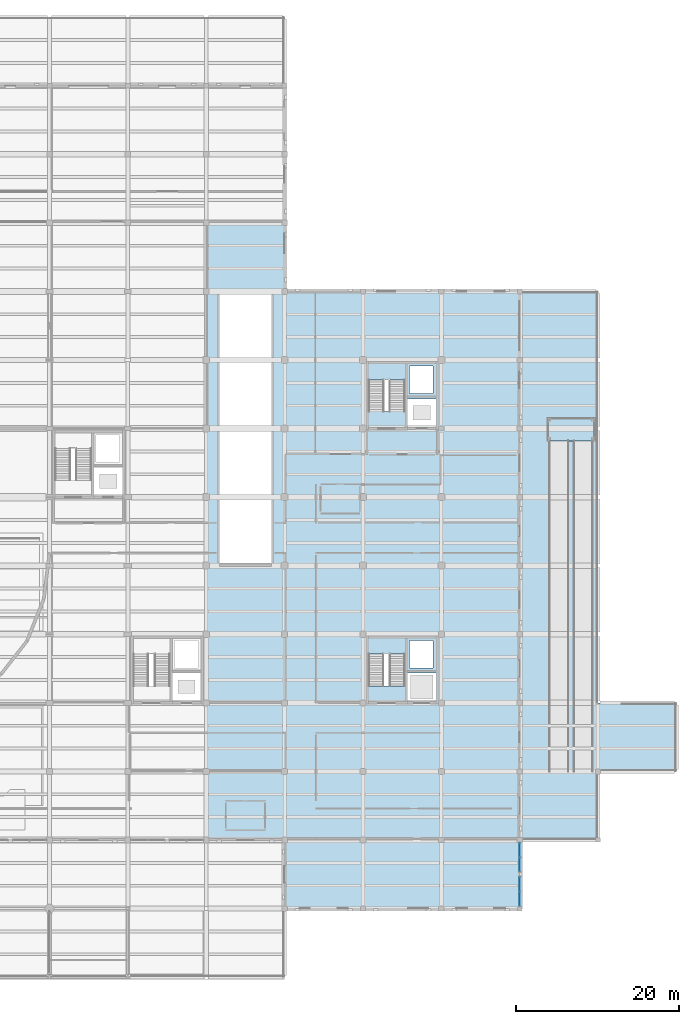
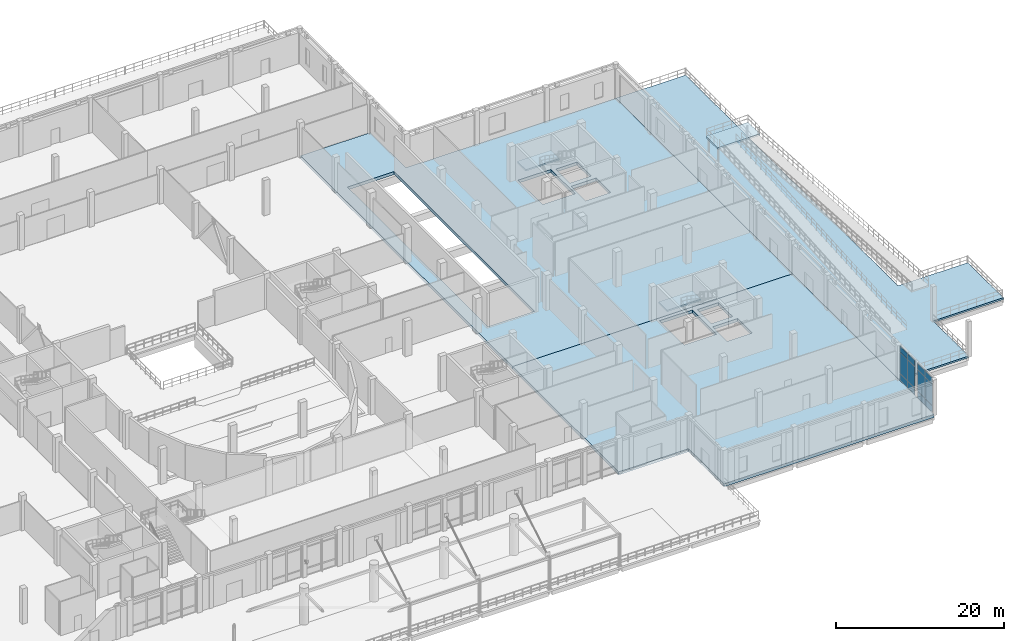
# One storey, part 43 of 71: 12 plates, 6 slabs, 5 elements without a shape of their own.
"""IFC4 building model written with IfcOpenShell, lengths in metres."""

from ifc_helpers import new_model, si_unit, direction, frame, origin, origin_2d, place, context, subcontext, project, spatial, polyline, rectangle, outline, extrude, material, layer, layer_set, type_object, element, aggregate, save


model = new_model("IFC4")

# Units and contexts
model_context = context("Model", 3, precision=1e-05, world=origin(), true_north=direction((0.0, 1.0)))
body_context = subcontext(model_context, "Body", "Model", "MODEL_VIEW")
ifc_project = project(units=[si_unit("LENGTHUNIT", "METRE"), si_unit("AREAUNIT", "SQUARE_METRE"), si_unit("VOLUMEUNIT", "CUBIC_METRE"), si_unit("PLANEANGLEUNIT", "RADIAN"), si_unit("MASSUNIT", "GRAM", prefix="KILO")], contexts=[model_context])

# Site, building, storey
site_placement = place(None, origin())
site = spatial("IfcSite", under=ifc_project, at=site_placement, CompositionType="ELEMENT")
building_placement = place(site_placement, origin())
building = spatial("IfcBuilding", under=site, at=building_placement, Name="Lornevale Opera House", CompositionType="ELEMENT")
storey_placement = place(building_placement, origin())
storey = spatial("IfcBuildingStorey", under=building, at=storey_placement, Name="L01", CompositionType="ELEMENT", Elevation=0.0)

# Curtain wall, plates
ifc_material_1 = material(Name="Anodized Oxide-Green Aluminium Framing", Category="aluminium")
ifc_layer_1 = layer(ifc_material_1, 0.215087890625)
ifc_layer_set_1 = layer_set([ifc_layer_1], Name="Anodized Oxide-Green Aluminium Framing")
curtain_wall_type = type_object("IfcCurtainWallType", Name="Grand Foyer Curtain Wall M2000", PredefinedType="NOTDEFINED", material=ifc_layer_set_1)
curtain_wall_1_placement = place(storey_placement, origin())
curtain_wall_1 = element("IfcCurtainWall", 1, at=curtain_wall_1_placement, inside=storey, type_object=curtain_wall_type, Name="Grand Foyer Curtain Wall M2000 CW-019", PredefinedType="NOTDEFINED")
ifc_material_2 = material(Name="Triple Low-E Insulated Glazing", Category="glass")
ifc_layer_2 = layer(ifc_material_2, 0.0419921875)
ifc_layer_set_2 = layer_set([ifc_layer_2], Name="Triple Low-E Insulated Glazing")
plate_type = type_object("IfcPlateType", Name="Ceramic Fritted Bird-Safe Panel 42", PredefinedType="CURTAIN_PANEL", material=ifc_layer_set_2)
plate_1_placement = place(storey_placement, frame((153.60009765625, 15.560546875, 0.074951171875), z_axis=(0.0, 0.0, 1.0), x_axis=(0.0, -1.0, 0.0)))
plate_1 = element("IfcPlate", 2, at=plate_1_placement, type_object=plate_type, Name="Ceramic Fritted Bird-Safe Panel 42 CW0314", PredefinedType="CURTAIN_PANEL", context=body_context, shape_type="SweptSolid", body=[
    extrude(rectangle(XDim=1.68701171875, YDim=0.0419921875, at=origin_2d()), origin(), (0.0, 0.0, 1.0), 0.9375),
])
plate_2_placement = place(storey_placement, frame((153.60009765625, 15.560546875, 1.087646484375), z_axis=(0.0, 0.0, 1.0), x_axis=(0.0, -1.0, 0.0)))
plate_2 = element("IfcPlate", 3, at=plate_2_placement, type_object=plate_type, Name="Ceramic Fritted Bird-Safe Panel 42 CW0315", PredefinedType="CURTAIN_PANEL", context=body_context, shape_type="SweptSolid", body=[
    extrude(rectangle(XDim=1.68701171875, YDim=0.0419921875, at=origin_2d()), origin(), (0.0, 0.0, 1.0), 3.02490234375),
])
plate_3_placement = place(storey_placement, frame((153.60009765625, 15.560546875, 4.1875), z_axis=(0.0, 0.0, 1.0), x_axis=(0.0, -1.0, 0.0)))
plate_3 = element("IfcPlate", 4, at=plate_3_placement, type_object=plate_type, Name="Ceramic Fritted Bird-Safe Panel 42 CW0316", PredefinedType="CURTAIN_PANEL", context=body_context, shape_type="SweptSolid", body=[
    extrude(rectangle(XDim=1.68701171875, YDim=0.0419921875, at=origin_2d()), origin(), (0.0, 0.0, 1.0), 0.83740234375),
])
plate_4_placement = place(storey_placement, frame((153.60009765625, 13.798583984375, 0.074951171875), z_axis=(0.0, 0.0, 1.0), x_axis=(0.0, -1.0, 0.0)))
plate_4 = element("IfcPlate", 5, at=plate_4_placement, type_object=plate_type, Name="Ceramic Fritted Bird-Safe Panel 42 CW0321", PredefinedType="CURTAIN_PANEL", context=body_context, shape_type="SweptSolid", body=[
    extrude(rectangle(XDim=1.68701171875, YDim=0.0419921875, at=origin_2d()), origin(), (0.0, 0.0, 1.0), 0.9375),
])
plate_5_placement = place(storey_placement, frame((153.60009765625, 13.798583984375, 1.087646484375), z_axis=(0.0, 0.0, 1.0), x_axis=(0.0, -1.0, 0.0)))
plate_5 = element("IfcPlate", 6, at=plate_5_placement, type_object=plate_type, Name="Ceramic Fritted Bird-Safe Panel 42 CW0322", PredefinedType="CURTAIN_PANEL", context=body_context, shape_type="SweptSolid", body=[
    extrude(rectangle(XDim=1.68701171875, YDim=0.0419921875, at=origin_2d()), origin(), (0.0, 0.0, 1.0), 3.02490234375),
])
plate_6_placement = place(storey_placement, frame((153.60009765625, 13.798583984375, 4.1875), z_axis=(0.0, 0.0, 1.0), x_axis=(0.0, -1.0, 0.0)))
plate_6 = element("IfcPlate", 7, at=plate_6_placement, type_object=plate_type, Name="Ceramic Fritted Bird-Safe Panel 42 CW0323", PredefinedType="CURTAIN_PANEL", context=body_context, shape_type="SweptSolid", body=[
    extrude(rectangle(XDim=1.68701171875, YDim=0.0419921875, at=origin_2d()), origin(), (0.0, 0.0, 1.0), 0.83740234375),
])
aggregate(curtain_wall_1, [plate_1, plate_2, plate_3, plate_4, plate_5, plate_6])

curtain_wall_2_placement = place(storey_placement, origin())
curtain_wall_2 = element("IfcCurtainWall", 8, at=curtain_wall_2_placement, inside=storey, type_object=curtain_wall_type, Name="Grand Foyer Curtain Wall M2000 CW-020", PredefinedType="NOTDEFINED")
plate_7_placement = place(storey_placement, frame((153.60009765625, 11.388916015625, 0.074951171875), z_axis=(0.0, 0.0, 1.0), x_axis=(0.0, -1.0, 0.0)))
plate_7 = element("IfcPlate", 9, at=plate_7_placement, type_object=plate_type, Name="Ceramic Fritted Bird-Safe Panel 42 CW0331", PredefinedType="CURTAIN_PANEL", context=body_context, shape_type="SweptSolid", body=[
    extrude(rectangle(XDim=1.7119140625, YDim=0.0419921875, at=origin_2d()), origin(), (0.0, 0.0, 1.0), 0.9375),
])
plate_8_placement = place(storey_placement, frame((153.60009765625, 11.388916015625, 1.087646484375), z_axis=(0.0, 0.0, 1.0), x_axis=(0.0, -1.0, 0.0)))
plate_8 = element("IfcPlate", 10, at=plate_8_placement, type_object=plate_type, Name="Ceramic Fritted Bird-Safe Panel 42 CW0332", PredefinedType="CURTAIN_PANEL", context=body_context, shape_type="SweptSolid", body=[
    extrude(rectangle(XDim=1.7119140625, YDim=0.0419921875, at=origin_2d()), origin(), (0.0, 0.0, 1.0), 3.02490234375),
])
plate_9_placement = place(storey_placement, frame((153.60009765625, 11.388916015625, 4.1875), z_axis=(0.0, 0.0, 1.0), x_axis=(0.0, -1.0, 0.0)))
plate_9 = element("IfcPlate", 11, at=plate_9_placement, type_object=plate_type, Name="Ceramic Fritted Bird-Safe Panel 42 CW0333", PredefinedType="CURTAIN_PANEL", context=body_context, shape_type="SweptSolid", body=[
    extrude(rectangle(XDim=1.7119140625, YDim=0.0419921875, at=origin_2d()), origin(), (0.0, 0.0, 1.0), 0.83740234375),
])
plate_10_placement = place(storey_placement, frame((153.60009765625, 9.60205078125, 0.074951171875), z_axis=(0.0, 0.0, 1.0), x_axis=(0.0, -1.0, 0.0)))
plate_10 = element("IfcPlate", 12, at=plate_10_placement, type_object=plate_type, Name="Ceramic Fritted Bird-Safe Panel 42 CW0338", PredefinedType="CURTAIN_PANEL", context=body_context, shape_type="SweptSolid", body=[
    extrude(rectangle(XDim=1.7119140625, YDim=0.0419921875, at=origin_2d()), origin(), (0.0, 0.0, 1.0), 0.9375),
])
plate_11_placement = place(storey_placement, frame((153.60009765625, 9.60205078125, 1.087646484375), z_axis=(0.0, 0.0, 1.0), x_axis=(0.0, -1.0, 0.0)))
plate_11 = element("IfcPlate", 13, at=plate_11_placement, type_object=plate_type, Name="Ceramic Fritted Bird-Safe Panel 42 CW0339", PredefinedType="CURTAIN_PANEL", context=body_context, shape_type="SweptSolid", body=[
    extrude(rectangle(XDim=1.7119140625, YDim=0.0419921875, at=origin_2d()), origin(), (0.0, 0.0, 1.0), 3.02490234375),
])
plate_12_placement = place(storey_placement, frame((153.60009765625, 9.60205078125, 4.1875), z_axis=(0.0, 0.0, 1.0), x_axis=(0.0, -1.0, 0.0)))
plate_12 = element("IfcPlate", 14, at=plate_12_placement, type_object=plate_type, Name="Ceramic Fritted Bird-Safe Panel 42 CW0340", PredefinedType="CURTAIN_PANEL", context=body_context, shape_type="SweptSolid", body=[
    extrude(rectangle(XDim=1.7119140625, YDim=0.0419921875, at=origin_2d()), origin(), (0.0, 0.0, 1.0), 0.83740234375),
])
aggregate(curtain_wall_2, [plate_7, plate_8, plate_9, plate_10, plate_11, plate_12])

# Slabs
ifc_material_3 = material(Name="Concrete 40 MPa (CSA A23.1 C-1)", Category="concrete")
ifc_layer_3 = layer(ifc_material_3, 0.25)
ifc_layer_set_3 = layer_set([ifc_layer_3], Name="Concrete 40 MPa (CSA A23.1 C-1)")
slab_type_1 = type_object("IfcSlabType", Name="Escarpment Terrace Deck Slab 250", PredefinedType="USERDEFINED", material=ifc_layer_set_3)
slab_1_placement = place(storey_placement, frame((0.0, 0.0, -0.25)))
element("IfcSlab", 15, at=slab_1_placement, inside=storey, type_object=slab_type_1, Name="Escarpment Terrace Deck Slab 250 SL-032", ObjectType="TERRACE", PredefinedType="USERDEFINED", context=body_context, shape_type="SweptSolid", body=[
    extrude(outline(polyline([(153.60009765625, 33.60009765625), (153.60009765625, 42.0), (153.60009765625, 50.39990234375), (153.60009765625, 58.800048828125), (153.60009765625, 67.199951171875), (153.60009765625, 75.60009765625), (153.60009765625, 84.0), (163.199951171875, 84.0), (163.199951171875, 75.60009765625), (163.199951171875, 67.199951171875), (163.199951171875, 58.800048828125), (163.199951171875, 50.39990234375), (163.199951171875, 42.0), (163.199951171875, 33.60009765625), (172.800048828125, 33.60009765625), (172.800048828125, 25.199951171875), (163.199951171875, 25.199951171875), (163.199951171875, 16.800048828125), (153.60009765625, 16.800048828125), (153.60009765625, 25.199951171875), (153.60009765625, 33.60009765625)])), origin(), (0.0, 0.0, 1.0), 0.25),
])
ifc_layer_4 = layer(ifc_material_3, 0.43994140625)
ifc_layer_set_4 = layer_set([ifc_layer_4], Name="Concrete 40 MPa (CSA A23.1 C-1)")
slab_type_2 = type_object("IfcSlabType", Name="Plaza Transfer Ground Slab 440", PredefinedType="FLOOR", material=ifc_layer_set_4)
slab_2_placement = place(storey_placement, frame((0.0, 0.0, -0.43994140625)))
element("IfcSlab", 16, at=slab_2_placement, inside=storey, type_object=slab_type_2, Name="Plaza Transfer Ground Slab 440 SL-022", PredefinedType="FLOOR", context=body_context, shape_type="SweptSolid", body=[
    extrude(outline(polyline([(134.39990234375, 8.39990234375), (124.800048828125, 8.39990234375), (124.800048828125, 16.800048828125), (115.199951171875, 16.800048828125), (115.199951171875, 25.199951171875), (115.199951171875, 33.60009765625), (115.199951171875, 42.0), (124.800048828125, 42.0), (134.39990234375, 42.0), (144.0, 42.0), (153.60009765625, 42.0), (153.60009765625, 33.60009765625), (153.60009765625, 25.199951171875), (153.60009765625, 16.800048828125), (153.60009765625, 8.39990234375), (144.0, 8.39990234375), (134.39990234375, 8.39990234375)]), holes=[polyline([(139.860107421875, 33.780029296875), (143.320068359375, 33.780029296875), (143.320068359375, 37.239990234375), (139.860107421875, 37.239990234375), (139.860107421875, 33.780029296875)]), polyline([(135.06005859375, 35.679931640625), (139.5400390625, 35.679931640625), (139.5400390625, 41.47998046875), (135.06005859375, 41.47998046875), (135.06005859375, 35.679931640625)]), polyline([(140.10009765625, 37.89990234375), (143.0, 37.89990234375), (143.0, 41.239990234375), (140.10009765625, 41.239990234375), (140.10009765625, 37.89990234375)])]), origin(), (0.0, 0.0, 1.0), 0.43994140625),
])
slab_3_placement = place(storey_placement, frame((0.0, 0.0, -0.43994140625)))
element("IfcSlab", 17, at=slab_3_placement, inside=storey, type_object=slab_type_2, Name="Plaza Transfer Ground Slab 440 SL-025", PredefinedType="FLOOR", context=body_context, shape_type="SweptSolid", body=[
    extrude(outline(polyline([(115.199951171875, 67.199951171875), (115.199951171875, 75.60009765625), (115.199951171875, 84.0), (115.199951171875, 92.39990234375), (124.800048828125, 92.39990234375), (124.800048828125, 84.0), (134.39990234375, 84.0), (144.0, 84.0), (153.60009765625, 84.0), (153.60009765625, 75.60009765625), (153.60009765625, 67.199951171875), (153.60009765625, 58.800048828125), (153.60009765625, 50.39990234375), (153.60009765625, 42.0), (144.0, 42.0), (134.39990234375, 42.0), (124.800048828125, 42.0), (115.199951171875, 42.0), (115.199951171875, 50.39990234375), (115.199951171875, 58.800048828125), (115.199951171875, 67.199951171875)]), holes=[polyline([(139.860107421875, 67.3798828125), (143.320068359375, 67.3798828125), (143.320068359375, 70.840087890625), (139.860107421875, 70.840087890625), (139.860107421875, 67.3798828125)]), polyline([(135.06005859375, 69.280029296875), (139.5400390625, 69.280029296875), (139.5400390625, 75.080078125), (135.06005859375, 75.080078125), (135.06005859375, 69.280029296875)]), polyline([(116.800048828125, 50.6201171875), (123.199951171875, 50.6201171875), (123.199951171875, 84.0), (116.800048828125, 84.0), (116.800048828125, 50.6201171875)]), polyline([(140.10009765625, 71.5), (143.0, 71.5), (143.0, 74.840087890625), (140.10009765625, 74.840087890625), (140.10009765625, 71.5)])]), origin(), (0.0, 0.0, 1.0), 0.43994140625),
])

# Ramp, slab
ramp_type = type_object("IfcRampType", Name="Accessible Escarpment Promenade Ramp", PredefinedType="TWO_STRAIGHT_RUN_RAMP", material=ifc_material_3)
ramp_placement = place(storey_placement, origin())
ramp = element("IfcRamp", 18, at=ramp_placement, inside=storey, type_object=ramp_type, Name="Parterre Promenade Ramp Lower Flight", PredefinedType="TWO_STRAIGHT_RUN_RAMP")
ifc_layer_5 = layer(ifc_material_3, 0.25)
ifc_layer_set_5 = layer_set([ifc_layer_5], Name="Concrete 40 MPa (CSA A23.1 C-1)")
slab_type_3 = type_object("IfcSlabType", Name="Promenade Mid-Landing Slab 250", PredefinedType="LANDING", material=ifc_layer_set_5)
slab_4_placement = place(storey_placement, frame((0.0, 0.0, 2.449951171875)))
slab_4 = element("IfcSlab", 19, at=slab_4_placement, type_object=slab_type_3, Name="Parterre Ramp Mid-Landing", PredefinedType="LANDING", context=body_context, shape_type="SweptSolid", body=[
    extrude(outline(polyline([(157.0, 65.699951171875), (162.800048828125, 65.699951171875), (162.800048828125, 68.5), (157.0, 68.5), (157.0, 65.699951171875)])), origin(), (0.0, 0.0, 1.0), 0.25),
])
aggregate(ramp, [slab_4])

# Stair, slab
ifc_material_4 = material(Name="Concrete 35 MPa (CSA A23.1 N)", Category="concrete")
ifc_layer_6 = layer(ifc_material_4, 5.39990234375)
ifc_layer_set_6 = layer_set([ifc_layer_6], Name="Concrete 35 MPa (CSA A23.1 N)")
stair_type_1 = type_object("IfcStairType", Name="Firefighter Core Stair 5400-W1880", PredefinedType="TWO_STRAIGHT_RUN_STAIR", material=ifc_layer_set_6)
stair_1_placement = place(storey_placement, origin())
stair_1 = element("IfcStair", 20, at=stair_1_placement, inside=storey, type_object=stair_type_1, Name="Backstage Firefighter Core East Stair ST-30 (L01-L02)", PredefinedType="TWO_STRAIGHT_RUN_STAIR")
ifc_layer_7 = layer(ifc_material_4, 0.219970703125)
ifc_layer_set_7 = layer_set([ifc_layer_7], Name="Concrete 35 MPa (CSA A23.1 N)")
slab_type_4 = type_object("IfcSlabType", Name="Stair Half-Landing Slab 220", PredefinedType="LANDING", material=ifc_layer_set_7)
slab_5_placement = place(storey_placement, frame((0.0, 0.0, 2.47998046875)))
slab_5 = element("IfcSlab", 21, at=slab_5_placement, type_object=slab_type_4, Name="ST-30 Half-Landing SL-LND-030", PredefinedType="LANDING", context=body_context, shape_type="SweptSolid", body=[
    extrude(outline(polyline([(135.0, 73.159912109375), (139.60009765625, 73.159912109375), (139.60009765625, 75.179931640625), (135.0, 75.179931640625), (135.0, 73.159912109375)])), origin(), (0.0, 0.0, 1.0), 0.219970703125),
])
aggregate(stair_1, [slab_5])

ifc_layer_8 = layer(ifc_material_4, 5.39990234375)
ifc_layer_set_8 = layer_set([ifc_layer_8], Name="Concrete 35 MPa (CSA A23.1 N)")
stair_type_2 = type_object("IfcStairType", Name="Protected Exit Stair 5400-W1840", PredefinedType="TWO_STRAIGHT_RUN_STAIR", material=ifc_layer_set_8)
stair_2_placement = place(storey_placement, origin())
stair_2 = element("IfcStair", 22, at=stair_2_placement, inside=storey, type_object=stair_type_2, Name="Backstage Service Lift Core Stair ST-37 (L01-L02)", PredefinedType="TWO_STRAIGHT_RUN_STAIR")
slab_6_placement = place(storey_placement, frame((0.0, 0.0, 2.47998046875)))
slab_6 = element("IfcSlab", 23, at=slab_6_placement, type_object=slab_type_4, Name="ST-37 Half-Landing SL-LND-037", PredefinedType="LANDING", context=body_context, shape_type="SweptSolid", body=[
    extrude(outline(polyline([(135.0, 39.56005859375), (139.60009765625, 39.56005859375), (139.60009765625, 41.580078125), (135.0, 41.580078125), (135.0, 39.56005859375)])), origin(), (0.0, 0.0, 1.0), 0.219970703125),
])
aggregate(stair_2, [slab_6])

save(model, "model.ifc")
